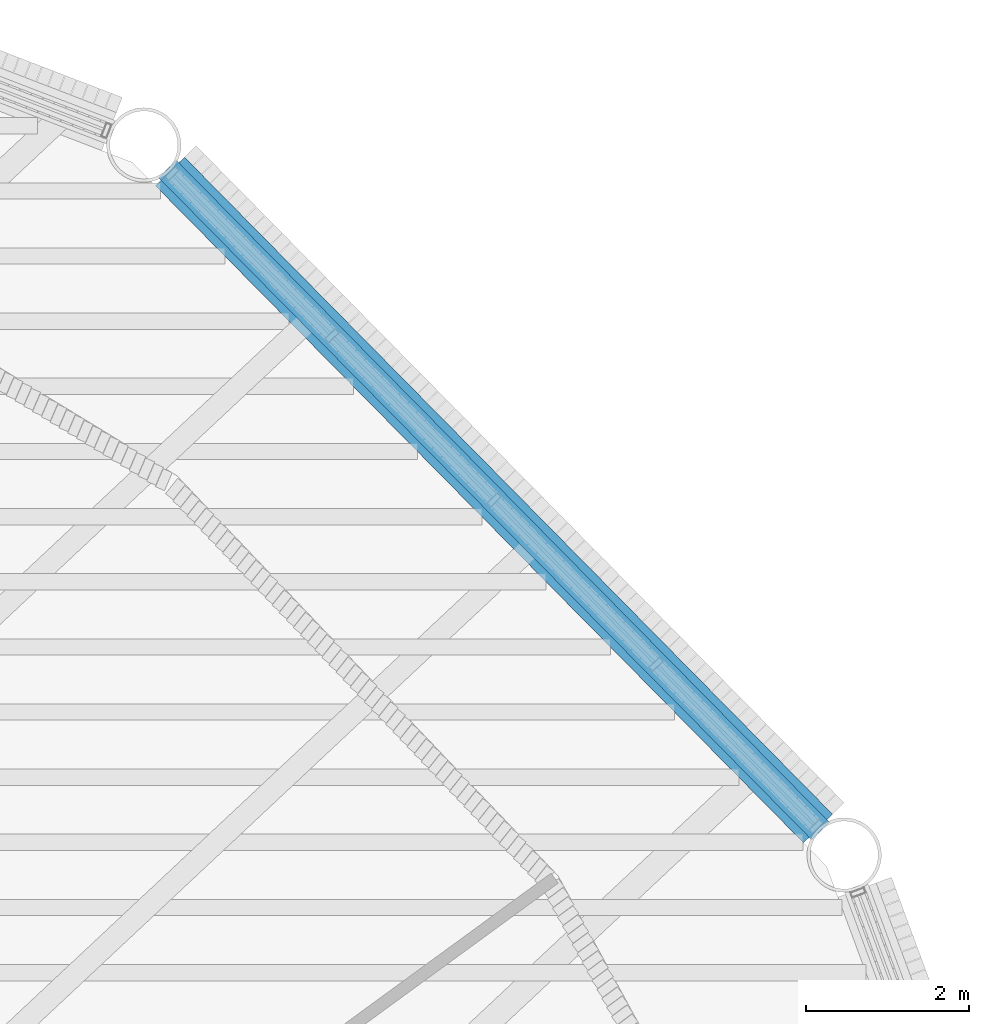
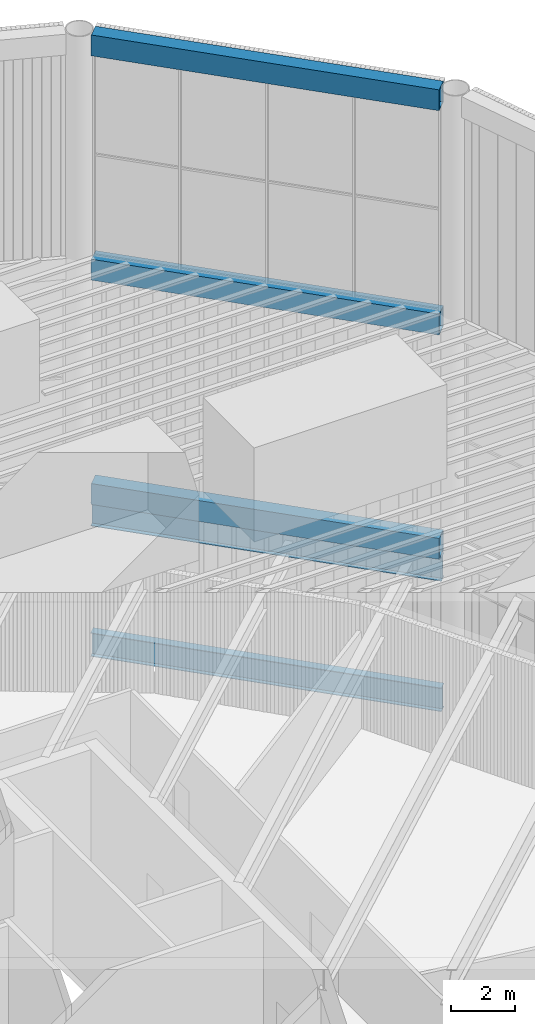
# One storey, part 76 of 117: 5 beams.
"""IFC4 building model written with IfcOpenShell, lengths in metres."""

import ifcopenshell
import ifcopenshell.guid

model = None  # the IFC model being written
_history = None  # IfcOwnerHistory: only IFC2X3 demands one
_inside = {}  # id of a spatial element -> (the spatial element, [elements in it])
_under = {}  # id of a project, library or spatial element -> (it, [spatial elements below it])
_declared = {}  # id of a project -> (the project, [libraries it declares])
_typed = {}  # id of a type object -> (the type object, [elements of that type])
_made_of = {}  # id of a material, layer set ... -> (it, [elements and type objects made of it])


def new_model(schema):
    """Start an empty IFC model of exactly this schema.

    Asked for "IFC4X3", IfcOpenShell would pick the latest addendum, in which some entities
    have other attributes; the version numbers below select the first issue.
    IFC2X3 requires an IfcOwnerHistory on every rooted entity: one is made here for all.
    """
    global model, _history
    if schema == "IFC4X3":
        model = ifcopenshell.file(schema_version=(4, 3, 0, 0))
    else:
        model = ifcopenshell.file(schema=schema)
    _inside.clear()
    _under.clear()
    _declared.clear()
    _typed.clear()
    _made_of.clear()
    _history = None
    if model.schema == "IFC2X3":
        org = make("IfcOrganization", Name="unknown")
        user = make(
            "IfcPersonAndOrganization",
            ThePerson=make("IfcPerson", FamilyName="unknown"),
            TheOrganization=org,
        )
        app = make(
            "IfcApplication",
            ApplicationDeveloper=org,
            Version="unknown",
            ApplicationFullName="unknown",
            ApplicationIdentifier="unknown",
        )
        _history = make(
            "IfcOwnerHistory",
            OwningUser=user,
            OwningApplication=app,
            ChangeAction="ADDED",
            CreationDate=0,
        )
    return model


def make(cls, **values):
    """One entity of the class cls with the attributes given. An attribute that is None is left unset."""
    return model.create_entity(
        cls, **{name: value for name, value in values.items() if value is not None}
    )


def rooted(cls, **values):
    """An entity with a GlobalId (a new one), such as an element, a storey or a relation."""
    return make(cls, GlobalId=ifcopenshell.guid.new(), OwnerHistory=_history, **values)


def si_unit(unit_type, name, prefix=None):
    """IfcSIUnit, for example si_unit("LENGTHUNIT", "METRE", prefix="MILLI")."""
    return make("IfcSIUnit", UnitType=unit_type, Prefix=prefix, Name=name)


def assignment(units):
    """IfcUnitAssignment: the units of a project."""
    return None if units is None else make("IfcUnitAssignment", Units=units)


def point(xyz):
    """IfcCartesianPoint."""
    return None if xyz is None else make("IfcCartesianPoint", Coordinates=xyz)


def direction(xyz):
    """IfcDirection."""
    return None if xyz is None else make("IfcDirection", DirectionRatios=xyz)


def frame(location, z_axis=None, x_axis=None):
    """IfcAxis2Placement3D, a coordinate frame: its origin and axes. An axis left out is left unset."""
    return make(
        "IfcAxis2Placement3D",
        Location=point(location),
        Axis=direction(z_axis),
        RefDirection=direction(x_axis),
    )


def frame_2d(location, x_axis=None):
    """IfcAxis2Placement2D, a coordinate frame in the plane: its origin and x axis."""
    return make(
        "IfcAxis2Placement2D", Location=point(location), RefDirection=direction(x_axis)
    )


def origin():
    """The frame at (0, 0, 0) with its axes left unset."""
    return frame((0.0, 0.0, 0.0))


def origin_2d():
    """The frame at (0, 0) in the plane with its x axis left unset."""
    return frame_2d((0.0, 0.0))


def place(relative_to, where):
    """IfcLocalPlacement: puts the frame where relative to a parent placement (None: the world)."""
    return make(
        "IfcLocalPlacement", PlacementRelTo=relative_to, RelativePlacement=where
    )


def context(
    kind, dimensions, precision=None, world=None, true_north=None, identifier=None
):
    """IfcGeometricRepresentationContext, for example the 3D "Model" context."""
    return make(
        "IfcGeometricRepresentationContext",
        ContextIdentifier=identifier,
        ContextType=kind,
        CoordinateSpaceDimension=dimensions,
        Precision=precision,
        WorldCoordinateSystem=world,
        TrueNorth=true_north,
    )


def subcontext(parent, identifier, kind, view, scale=None):
    """IfcGeometricRepresentationSubContext, for example "Body" below "Model"."""
    return make(
        "IfcGeometricRepresentationSubContext",
        ContextIdentifier=identifier,
        ContextType=kind,
        ParentContext=parent,
        TargetScale=scale,
        TargetView=view,
    )


def project(units=None, contexts=None):
    """IfcProject with its units and contexts."""
    return rooted(
        "IfcProject",
        Name="project",
        RepresentationContexts=contexts,
        UnitsInContext=assignment(units),
    )


def spatial(cls, under=None, at=None, **own):
    """A site, building, storey or space (cls), placed at a placement, below another one or the project."""
    s = rooted(cls, ObjectPlacement=at, **own)
    if under is not None:
        _under.setdefault(under.id(), (under, []))[1].append(s)
    return s


def profile(cls, at=None, kind="AREA", **sizes):
    """A parametric profile (cls). Its sizes go by their IFC names, for example OverallWidth=200.0."""
    return make(cls, ProfileType=kind, Position=at, **sizes)


def hollow_rectangle(**sizes):
    """IfcRectangleHollowProfileDef."""
    return profile("IfcRectangleHollowProfileDef", **sizes)


def i_section(**sizes):
    """IfcIShapeProfileDef."""
    return profile("IfcIShapeProfileDef", **sizes)


def extrude(swept, where, along, depth):
    """IfcExtrudedAreaSolid: the profile swept, set in the frame where, extruded along a direction by depth."""
    return make(
        "IfcExtrudedAreaSolid",
        SweptArea=swept,
        Position=where,
        ExtrudedDirection=direction(along),
        Depth=depth,
    )


def shape(context_of_items, identifier, shape_type, items):
    """IfcShapeRepresentation: the items that make up one representation, for example the "Body"."""
    return make(
        "IfcShapeRepresentation",
        ContextOfItems=context_of_items,
        RepresentationIdentifier=identifier,
        RepresentationType=shape_type,
        Items=items,
    )


def material(Name=None, Category=None):
    """IfcMaterial."""
    return make("IfcMaterial", Name=Name, Category=Category)


def material_profile(
    of_material, cross_section, Name=None, Category=None, Priority=None
):
    """IfcMaterialProfile: a cross section and its material."""
    return make(
        "IfcMaterialProfile",
        Name=Name,
        Material=of_material,
        Profile=cross_section,
        Priority=Priority,
        Category=Category,
    )


def profile_set(profiles, Name=None, composite=None):
    """IfcMaterialProfileSet."""
    return make(
        "IfcMaterialProfileSet",
        Name=Name,
        MaterialProfiles=profiles,
        CompositeProfile=composite,
    )


def made_of(thing, what):
    """Note that an element or type object is made of a material, layer set ...; save() writes the relation."""
    if what is not None:
        _made_of.setdefault(what.id(), (what, []))[1].append(thing)
    return thing


def type_object(cls, material=None, **own):
    """A type object (cls), such as IfcWallType, which elements share."""
    return made_of(rooted(cls, **own), material)


def element(
    cls,
    number,
    at=None,
    inside=None,
    cuts=None,
    type_object=None,
    material=None,
    context=None,
    identifier="Body",
    shape_type=None,
    held_by="IfcProductDefinitionShape",
    body=None,
    shapes=None,
    **own,
):
    """One element of the class cls, such as IfcWall. Its Tag is "e" and its number.

    at: its placement. inside: the storey or other place that contains it. cuts: it is an
    opening in that element (IfcRelVoidsElement). A single representation is given by context,
    identifier, shape_type and body (its items); several are given by shapes. held_by: the class
    of the entity that holds the representations. save() writes the other relations.
    """
    e = rooted(cls, Tag="e%d" % number, ObjectPlacement=at, **own)
    if body is not None:
        shapes = [shape(context, identifier, shape_type, body)]
    if shapes is not None:
        e.Representation = make(held_by, Representations=shapes)
    if inside is not None:
        _inside.setdefault(inside.id(), (inside, []))[1].append(e)
    if cuts is not None:
        rooted(
            "IfcRelVoidsElement", RelatingBuildingElement=cuts, RelatedOpeningElement=e
        )
    if type_object is not None:
        _typed.setdefault(type_object.id(), (type_object, []))[1].append(e)
    return made_of(e, material)


def aggregate(whole, parts):
    """IfcRelAggregates: a whole, such as a stair, and the parts it consists of."""
    return rooted("IfcRelAggregates", RelatingObject=whole, RelatedObjects=parts)


def save(model, path):
    """Write the relations noted so far, then the file.

    IfcRelAggregates (storeys below a building ...), IfcRelContainedInSpatialStructure (elements
    in a storey), IfcRelDefinesByType, IfcRelAssociatesMaterial and IfcRelDeclares: one each for
    every whole, place, type object, material and project.
    """
    for whole, parts in _under.values():
        aggregate(whole, parts)
    for where, things in _inside.values():
        rooted(
            "IfcRelContainedInSpatialStructure",
            RelatedElements=things,
            RelatingStructure=where,
        )
    for kind, things in _typed.values():
        rooted("IfcRelDefinesByType", RelatedObjects=things, RelatingType=kind)
    for what, things in _made_of.values():
        rooted("IfcRelAssociatesMaterial", RelatedObjects=things, RelatingMaterial=what)
    for by, libraries in _declared.values():
        rooted("IfcRelDeclares", RelatingContext=by, RelatedDefinitions=libraries)
    model.write(path)


model = new_model("IFC4")

# Units and contexts
model_context = context("Model", 3, precision=1e-05, world=origin(), true_north=direction((0.0, 1.0)))
body_context = subcontext(model_context, "Body", "Model", "MODEL_VIEW")
ifc_project = project(units=[si_unit("LENGTHUNIT", "METRE"), si_unit("AREAUNIT", "SQUARE_METRE"), si_unit("VOLUMEUNIT", "CUBIC_METRE"), si_unit("PLANEANGLEUNIT", "RADIAN"), si_unit("MASSUNIT", "GRAM", prefix="KILO")], contexts=[model_context])

# Site, building, storey
site_placement = place(None, origin())
site = spatial("IfcSite", under=ifc_project, at=site_placement, CompositionType="ELEMENT")
building_placement = place(site_placement, origin())
building = spatial("IfcBuilding", under=site, at=building_placement, Name="Tarsis Ring Headquarters", CompositionType="ELEMENT")
storey_placement = place(building_placement, frame((0.0, 0.0, 403.60009765625)))
storey = spatial("IfcBuildingStorey", under=building, at=storey_placement, Name="L95", CompositionType="ELEMENT", Elevation=403.60009765625)

# Beams
ifc_material = material(Name="Structural steel S355", Category="steel")
ifc_material_profile_1 = material_profile(ifc_material, hollow_rectangle(XDim=0.5, YDim=0.800048828125, WallThickness=0.030029296875, at=origin_2d()), Name="RHS 800x500x30")
ifc_profile_set_1 = profile_set([ifc_material_profile_1], Name="Structural steel S355")
beam_type_1 = type_object("IfcBeamType", Name="Crown frame ring beam RHS 800x500x30", PredefinedType="BEAM", material=ifc_profile_set_1)
for number, where, z_axis, x_axis, name in (
    (1, (24.196044921875, 15.9052734375, 5.39990234375), (-0.702233075701, 0.711947124014, 0.0), (-0.711947124014, -0.702233075701, 0.0), "Crown frame ring beam R8"),
    (2, (24.196044921875, 15.9052734375, 14.0), (-0.702233075701, 0.711947124014, 0.0), (-0.711947124014, -0.702233075701, 0.0), "Crown frame ring beam M8"),
    (3, (24.196044921875, 15.9052734375, 22.599853515625), (-0.702233075701, 0.711947124014, 0.0), (-0.711947124014, -0.702233075701, 0.0), "Crown frame ring beam T8"),
):
    element("IfcBeam", number, at=place(storey_placement, frame(where, z_axis=z_axis, x_axis=x_axis)), inside=storey, type_object=beam_type_1, Name=name, PredefinedType="BEAM", context=body_context, shape_type="SweptSolid", body=[
        extrude(hollow_rectangle(XDim=0.5, YDim=0.800048828125, WallThickness=0.030029296875, at=origin_2d()), origin(), (0.0, 0.0, 1.0), 11.3349609375),
    ])
ifc_material_profile_2 = material_profile(ifc_material, i_section(OverallWidth=0.3046875, OverallDepth=0.904296875, WebThickness=0.01513671875, FlangeThickness=0.02001953125, at=origin_2d()), Name="W36x135")
ifc_profile_set_2 = profile_set([ifc_material_profile_2], Name="Structural steel S355")
beam_type_2 = type_object("IfcBeamType", Name="XG Ring girder W36x135", PredefinedType="BEAM", material=ifc_profile_set_2)
for number, where, z_axis, x_axis, name in (
    (4, (24.22802734375, 15.872802734375, -0.4521484375), (-0.702229061918, 0.711951083009, 0.0), (-0.711951083009, -0.702229061918, 0.0), "Ring girder XG5"),
    (5, (24.22802734375, 15.872802734375, 4.5478515625), (-0.702229061918, 0.711951083009, 0.0), (-0.711951083009, -0.702229061918, 0.0), "Ring girder XG5"),
):
    element("IfcBeam", number, at=place(storey_placement, frame(where, z_axis=z_axis, x_axis=x_axis)), inside=storey, type_object=beam_type_2, Name=name, PredefinedType="BEAM", context=body_context, shape_type="SweptSolid", body=[
        extrude(i_section(OverallWidth=0.3046875, OverallDepth=0.904296875, WebThickness=0.01513671875, FlangeThickness=0.02001953125, at=origin_2d()), origin(), (0.0, 0.0, 1.0), 11.426025390625),
    ])

save(model, "model.ifc")
